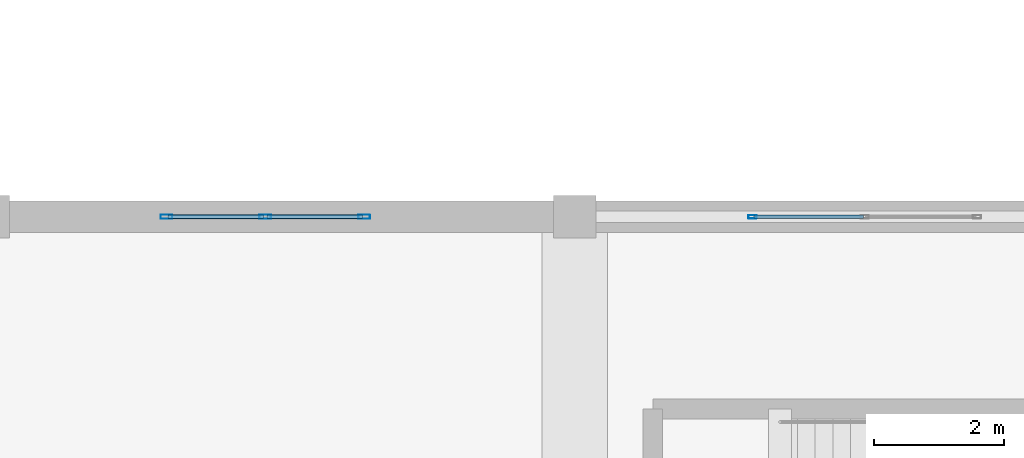
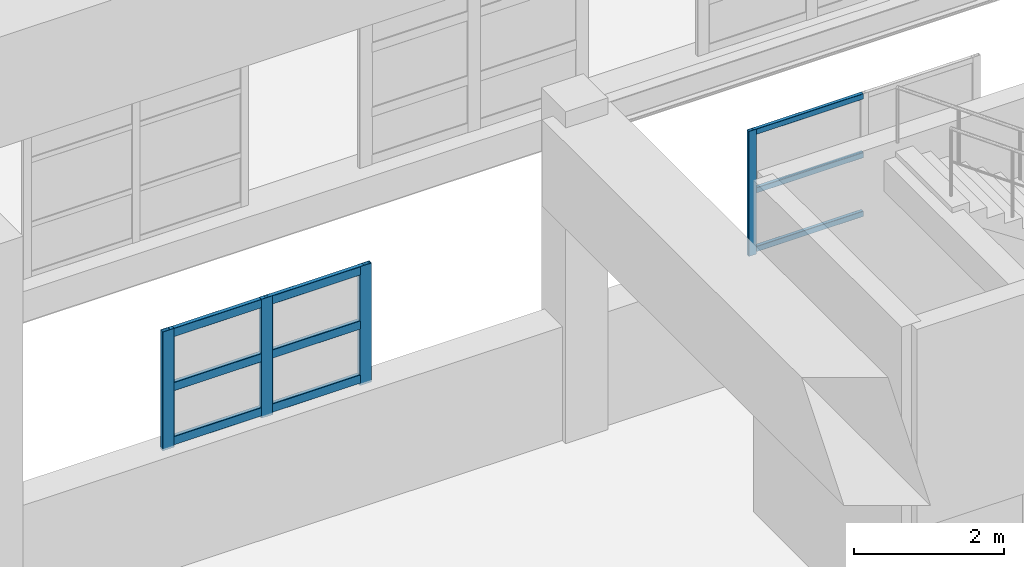
# One storey, part 27 of 197: 13 members, 2 elements without a shape of their own.
"""IFC4 building model written with IfcOpenShell, lengths in metres."""

from ifc_helpers import new_model, si_unit, derived_unit, direction, frame, origin, origin_2d, place, context, subcontext, project, spatial, hollow_rectangle, extrude, material, layer, layer_set, material_profile, profile_set, type_object, element, aggregate, save


model = new_model("IFC4")

# Units and contexts
model_context = context("Model", 3, precision=1e-05, world=origin(), true_north=direction((0.0, 1.0)))
body_context = subcontext(model_context, "Body", "Model", "MODEL_VIEW")
ifc_project = project(units=[si_unit("LENGTHUNIT", "METRE"), si_unit("AREAUNIT", "SQUARE_METRE"), si_unit("VOLUMEUNIT", "CUBIC_METRE"), si_unit("PLANEANGLEUNIT", "RADIAN"), si_unit("MASSUNIT", "GRAM", prefix="KILO"), derived_unit("THERMALTRANSMITTANCEUNIT", [(si_unit("POWERUNIT", "WATT"), 1), (si_unit("LENGTHUNIT", "METRE"), -2), (si_unit("THERMODYNAMICTEMPERATUREUNIT", "KELVIN"), -1)])], contexts=[model_context])

# Site, building, storey
site_placement = place(None, origin())
site = spatial("IfcSite", under=ifc_project, at=site_placement, CompositionType="ELEMENT")
building_placement = place(site_placement, origin())
building = spatial("IfcBuilding", under=site, at=building_placement, Name="Almenara Railside Exhibition Hall", CompositionType="ELEMENT")
storey_placement = place(building_placement, frame((0.0, 0.0, 5.39990234375)))
storey = spatial("IfcBuildingStorey", under=building, at=storey_placement, Name="L01", CompositionType="ELEMENT", Elevation=5.39990234375)

# Curtain wall, member
ifc_material_1 = material(Name="Bronze-anodised aluminium and low-E double glazing", Category="aluminium")
ifc_layer_1 = layer(ifc_material_1, 0.179931640625, Name="Bronze-anodised aluminium and low-E double glazing")
ifc_layer_set_1 = layer_set([ifc_layer_1], Name="Bronze-anodised aluminium and low-E double glazing")
curtain_wall_type_1 = type_object("IfcCurtainWallType", Name="Plenary Clerestory Curtain Wall 3500x2000", PredefinedType="NOTDEFINED", material=ifc_layer_set_1)
curtain_wall_1_placement = place(storey_placement, origin())
curtain_wall_1 = element("IfcCurtainWall", 1, at=curtain_wall_1_placement, inside=storey, type_object=curtain_wall_type_1, Name="Curtain wall CW-CL5-102", PredefinedType="NOTDEFINED")
ifc_material_2 = material(Name="Bronze-anodised aluminium", Category="aluminium")
ifc_material_profile_1 = material_profile(ifc_material_2, hollow_rectangle(XDim=0.054931640625, YDim=0.125, WallThickness=0.0029296875, InnerFilletRadius=0.0029296875, OuterFilletRadius=0.006103515625, at=origin_2d()), Name="ALU-MUL 55x125x3")
ifc_profile_set_1 = profile_set([ifc_material_profile_1], Name="Bronze-anodised aluminium")
member_type_1 = type_object("IfcMemberType", Name="Curtain Wall Mullion 55x125x3", PredefinedType="MULLION", material=ifc_profile_set_1)
member_1_placement = place(storey_placement, frame((41.7275390625, 42.0, 1.815185546875), z_axis=(0.0, 0.0, 1.0), x_axis=(0.0, 1.0, 0.0)))
member_1 = element("IfcMember", 2, at=member_1_placement, type_object=member_type_1, Name="CW-CL5-102 mullion 1", PredefinedType="MULLION", context=body_context, shape_type="SweptSolid", body=[
    extrude(hollow_rectangle(XDim=0.054931640625, YDim=0.125, WallThickness=0.0029296875, InnerFilletRadius=0.0029296875, OuterFilletRadius=0.006103515625, at=origin_2d()), origin(), (0.0, 0.0, 1.0), 2.034912109375),
])

# Curtain wall, members
ifc_layer_2 = layer(ifc_material_1, 0.179931640625, Name="Bronze-anodised aluminium and low-E double glazing")
ifc_layer_set_2 = layer_set([ifc_layer_2], Name="Bronze-anodised aluminium and low-E double glazing")
curtain_wall_type_2 = type_object("IfcCurtainWallType", Name="Plenary Clerestory Curtain Wall 3100x1900", PredefinedType="NOTDEFINED", material=ifc_layer_set_2)
curtain_wall_2_placement = place(storey_placement, origin())
curtain_wall_2 = element("IfcCurtainWall", 3, at=curtain_wall_2_placement, inside=storey, type_object=curtain_wall_type_2, Name="Curtain wall CW-CL6-100", PredefinedType="NOTDEFINED")
ifc_material_profile_2 = material_profile(ifc_material_2, hollow_rectangle(XDim=0.06494140625, YDim=0.179931640625, WallThickness=0.00390625, InnerFilletRadius=0.00390625, OuterFilletRadius=0.008056640625, at=origin_2d()), Name="ALU-MUL 65x180x4")
ifc_profile_set_2 = profile_set([ifc_material_profile_2], Name="Bronze-anodised aluminium")
member_type_2 = type_object("IfcMemberType", Name="Curtain Wall Mullion 65x180x4", PredefinedType="MULLION", material=ifc_profile_set_2)
member_2_placement = place(storey_placement, frame((32.732421875, 42.0, 1.815185546875), z_axis=(0.0, 0.0, 1.0), x_axis=(0.0, 1.0, 0.0)))
member_2 = element("IfcMember", 4, at=member_2_placement, type_object=member_type_2, Name="CW-CL6-100 mullion 1", PredefinedType="MULLION", context=body_context, shape_type="SweptSolid", body=[
    extrude(hollow_rectangle(XDim=0.06494140625, YDim=0.179931640625, WallThickness=0.00390625, InnerFilletRadius=0.00390625, OuterFilletRadius=0.008056640625, at=origin_2d()), origin(), (0.0, 0.0, 1.0), 1.934814453125),
])
member_3_placement = place(storey_placement, frame((34.25, 42.0, 1.815185546875), z_axis=(0.0, 0.0, 1.0), x_axis=(0.0, 1.0, 0.0)))
member_3 = element("IfcMember", 5, at=member_3_placement, type_object=member_type_2, Name="CW-CL6-100 mullion 2", PredefinedType="MULLION", context=body_context, shape_type="SweptSolid", body=[
    extrude(hollow_rectangle(XDim=0.06494140625, YDim=0.179931640625, WallThickness=0.00390625, InnerFilletRadius=0.00390625, OuterFilletRadius=0.008056640625, at=origin_2d()), origin(), (0.0, 0.0, 1.0), 1.934814453125),
])
member_4_placement = place(storey_placement, frame((35.767578125, 42.0, 1.815185546875), z_axis=(0.0, 0.0, 1.0), x_axis=(0.0, 1.0, 0.0)))
member_4 = element("IfcMember", 6, at=member_4_placement, type_object=member_type_2, Name="CW-CL6-100 mullion 3", PredefinedType="MULLION", context=body_context, shape_type="SweptSolid", body=[
    extrude(hollow_rectangle(XDim=0.06494140625, YDim=0.179931640625, WallThickness=0.00390625, InnerFilletRadius=0.00390625, OuterFilletRadius=0.008056640625, at=origin_2d()), origin(), (0.0, 0.0, 1.0), 1.934814453125),
])

# Member
ifc_material_profile_3 = material_profile(ifc_material_2, hollow_rectangle(XDim=0.054931640625, YDim=0.090087890625, WallThickness=0.0029296875, InnerFilletRadius=0.0029296875, OuterFilletRadius=0.006103515625, at=origin_2d()), Name="ALU-TRN 55x90x3")
ifc_profile_set_3 = profile_set([ifc_material_profile_3], Name="Bronze-anodised aluminium")
member_type_3 = type_object("IfcMemberType", Name="Curtain Wall Transom 55x90x3", PredefinedType="USERDEFINED", material=ifc_profile_set_3)
member_5_placement = place(storey_placement, frame((41.7470703125, 42.0, 1.89501953125), z_axis=(1.0, 0.0, 0.0), x_axis=(0.0, 1.0, 0.0)))
member_5 = element("IfcMember", 7, at=member_5_placement, type_object=member_type_3, Name="CW-CL5-102 transom 1.1", ObjectType="TRANSOM", PredefinedType="USERDEFINED", context=body_context, shape_type="SweptSolid", body=[
    extrude(hollow_rectangle(XDim=0.054931640625, YDim=0.090087890625, WallThickness=0.0029296875, InnerFilletRadius=0.0029296875, OuterFilletRadius=0.006103515625, at=origin_2d()), origin(), (0.0, 0.0, 1.0), 1.683349609375),
])

member_6_placement = place(storey_placement, frame((41.7470703125, 42.0, 2.85009765625), z_axis=(1.0, 0.0, 0.0), x_axis=(0.0, 1.0, 0.0)))
member_6 = element("IfcMember", 8, at=member_6_placement, type_object=member_type_3, Name="CW-CL5-102 transom 1.2", ObjectType="TRANSOM", PredefinedType="USERDEFINED", context=body_context, shape_type="SweptSolid", body=[
    extrude(hollow_rectangle(XDim=0.054931640625, YDim=0.090087890625, WallThickness=0.0029296875, InnerFilletRadius=0.0029296875, OuterFilletRadius=0.006103515625, at=origin_2d()), origin(), (0.0, 0.0, 1.0), 1.683349609375),
])

member_7_placement = place(storey_placement, frame((41.7470703125, 42.0, 3.80517578125), z_axis=(1.0, 0.0, 0.0), x_axis=(0.0, 1.0, 0.0)))
member_7 = element("IfcMember", 9, at=member_7_placement, type_object=member_type_3, Name="CW-CL5-102 transom 1.3", ObjectType="TRANSOM", PredefinedType="USERDEFINED", context=body_context, shape_type="SweptSolid", body=[
    extrude(hollow_rectangle(XDim=0.054931640625, YDim=0.090087890625, WallThickness=0.0029296875, InnerFilletRadius=0.0029296875, OuterFilletRadius=0.006103515625, at=origin_2d()), origin(), (0.0, 0.0, 1.0), 1.683349609375),
])

aggregate(curtain_wall_1, [member_1, member_5, member_6, member_7])

ifc_material_profile_4 = material_profile(ifc_material_2, hollow_rectangle(XDim=0.06494140625, YDim=0.139892578125, WallThickness=0.00341796875, InnerFilletRadius=0.00341796875, OuterFilletRadius=0.007080078125, at=origin_2d()), Name="ALU-TRN 65x140x3.5")
ifc_profile_set_4 = profile_set([ifc_material_profile_4], Name="Bronze-anodised aluminium")
member_type_4 = type_object("IfcMemberType", Name="Curtain Wall Transom 65x140x3.5", PredefinedType="USERDEFINED", material=ifc_profile_set_4)
member_8_placement = place(storey_placement, frame((32.757080078125, 42.0, 1.920166015625), z_axis=(1.0, 0.0, 0.0), x_axis=(0.0, 1.0, 0.0)))
member_8 = element("IfcMember", 10, at=member_8_placement, type_object=member_type_4, Name="CW-CL6-100 transom 1.1", ObjectType="TRANSOM", PredefinedType="USERDEFINED", context=body_context, shape_type="SweptSolid", body=[
    extrude(hollow_rectangle(XDim=0.06494140625, YDim=0.139892578125, WallThickness=0.00341796875, InnerFilletRadius=0.00341796875, OuterFilletRadius=0.007080078125, at=origin_2d()), origin(), (0.0, 0.0, 1.0), 1.468505859375),
])

member_9_placement = place(storey_placement, frame((32.757080078125, 42.0, 2.800048828125), z_axis=(1.0, 0.0, 0.0), x_axis=(0.0, 1.0, 0.0)))
member_9 = element("IfcMember", 11, at=member_9_placement, type_object=member_type_4, Name="CW-CL6-100 transom 1.2", ObjectType="TRANSOM", PredefinedType="USERDEFINED", context=body_context, shape_type="SweptSolid", body=[
    extrude(hollow_rectangle(XDim=0.06494140625, YDim=0.139892578125, WallThickness=0.00341796875, InnerFilletRadius=0.00341796875, OuterFilletRadius=0.007080078125, at=origin_2d()), origin(), (0.0, 0.0, 1.0), 1.468505859375),
])

member_10_placement = place(storey_placement, frame((32.757080078125, 42.0, 3.68017578125), z_axis=(1.0, 0.0, 0.0), x_axis=(0.0, 1.0, 0.0)))
member_10 = element("IfcMember", 12, at=member_10_placement, type_object=member_type_4, Name="CW-CL6-100 transom 1.3", ObjectType="TRANSOM", PredefinedType="USERDEFINED", context=body_context, shape_type="SweptSolid", body=[
    extrude(hollow_rectangle(XDim=0.06494140625, YDim=0.139892578125, WallThickness=0.00341796875, InnerFilletRadius=0.00341796875, OuterFilletRadius=0.007080078125, at=origin_2d()), origin(), (0.0, 0.0, 1.0), 1.468505859375),
])

member_11_placement = place(storey_placement, frame((34.2744140625, 42.0, 1.920166015625), z_axis=(1.0, 0.0, 0.0), x_axis=(0.0, 1.0, 0.0)))
member_11 = element("IfcMember", 13, at=member_11_placement, type_object=member_type_4, Name="CW-CL6-100 transom 2.1", ObjectType="TRANSOM", PredefinedType="USERDEFINED", context=body_context, shape_type="SweptSolid", body=[
    extrude(hollow_rectangle(XDim=0.06494140625, YDim=0.139892578125, WallThickness=0.00341796875, InnerFilletRadius=0.00341796875, OuterFilletRadius=0.007080078125, at=origin_2d()), origin(), (0.0, 0.0, 1.0), 1.468505859375),
])

member_12_placement = place(storey_placement, frame((34.2744140625, 42.0, 2.800048828125), z_axis=(1.0, 0.0, 0.0), x_axis=(0.0, 1.0, 0.0)))
member_12 = element("IfcMember", 14, at=member_12_placement, type_object=member_type_4, Name="CW-CL6-100 transom 2.2", ObjectType="TRANSOM", PredefinedType="USERDEFINED", context=body_context, shape_type="SweptSolid", body=[
    extrude(hollow_rectangle(XDim=0.06494140625, YDim=0.139892578125, WallThickness=0.00341796875, InnerFilletRadius=0.00341796875, OuterFilletRadius=0.007080078125, at=origin_2d()), origin(), (0.0, 0.0, 1.0), 1.468505859375),
])

member_13_placement = place(storey_placement, frame((34.2744140625, 42.0, 3.68017578125), z_axis=(1.0, 0.0, 0.0), x_axis=(0.0, 1.0, 0.0)))
member_13 = element("IfcMember", 15, at=member_13_placement, type_object=member_type_4, Name="CW-CL6-100 transom 2.3", ObjectType="TRANSOM", PredefinedType="USERDEFINED", context=body_context, shape_type="SweptSolid", body=[
    extrude(hollow_rectangle(XDim=0.06494140625, YDim=0.139892578125, WallThickness=0.00341796875, InnerFilletRadius=0.00341796875, OuterFilletRadius=0.007080078125, at=origin_2d()), origin(), (0.0, 0.0, 1.0), 1.468505859375),
])

aggregate(curtain_wall_2, [member_2, member_3, member_4, member_8, member_9, member_10, member_11, member_12, member_13])

save(model, "model.ifc")
